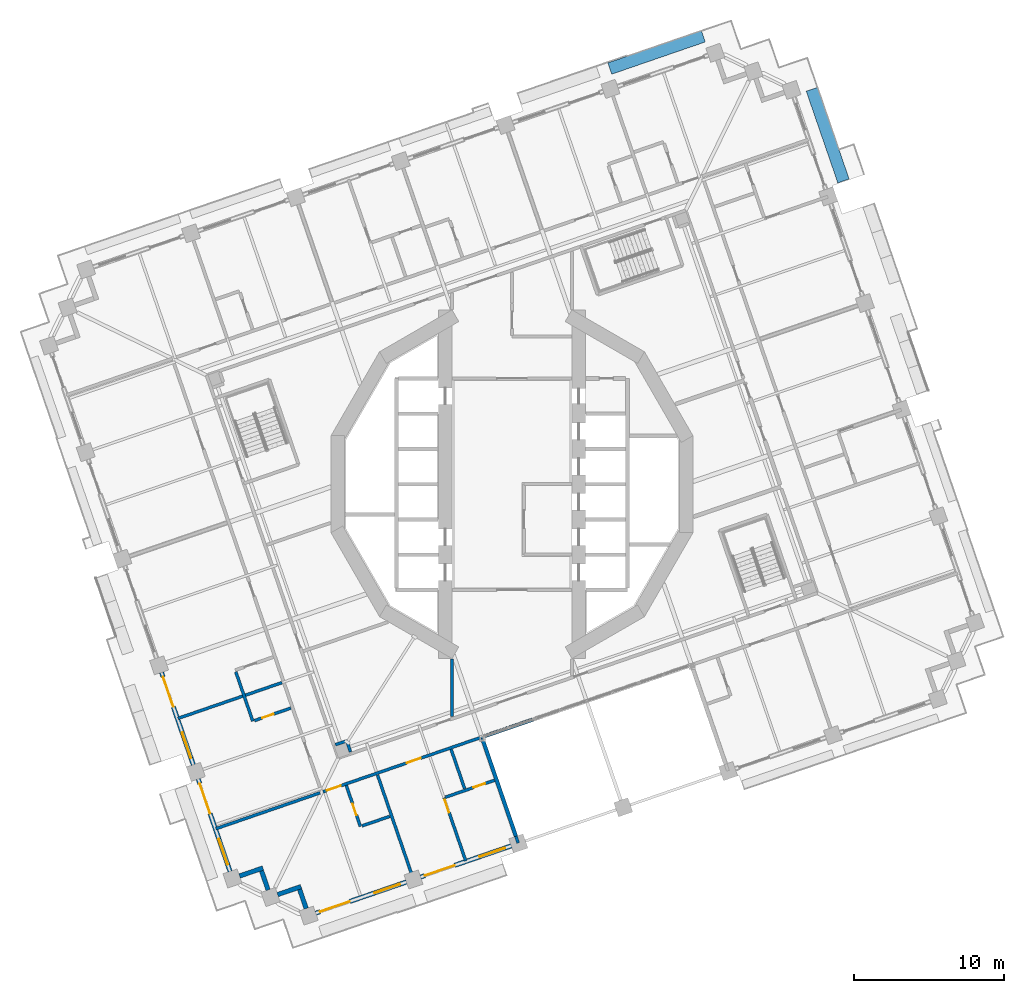
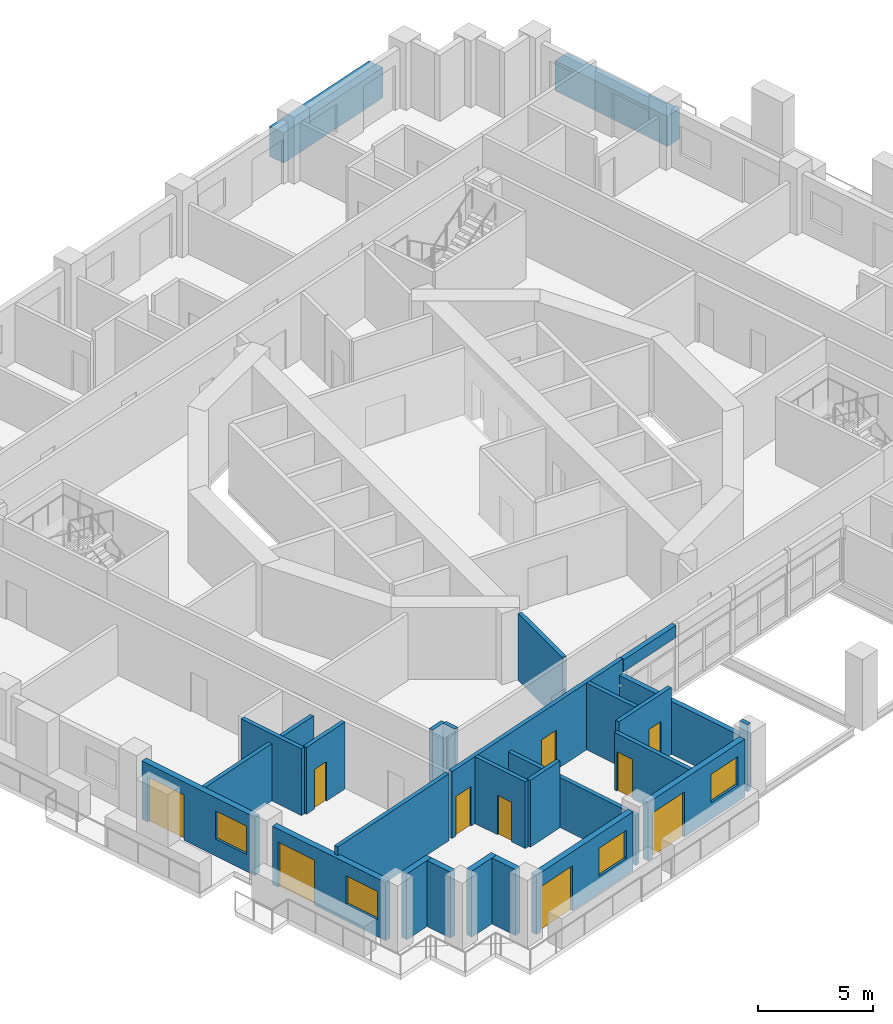
# One storey, part 8 of 22: 25 walls, 10 doors, 4 windows, 2 plates, 14 openings.
"""IFC4 building model written with IfcOpenShell, lengths in metres."""

from ifc_helpers import new_model, si_unit, direction, frame, frame_2d, origin, origin_2d, place, context, subcontext, project, spatial, rectangle, extrude, material, layer, layer_set, type_object, element, fill, save


model = new_model("IFC4")

# Units and contexts
model_context = context("Model", 3, precision=1e-05, world=origin(), true_north=direction((0.0, 1.0)))
body_context = subcontext(model_context, "Body", "Model", "MODEL_VIEW")
ifc_project = project(units=[si_unit("LENGTHUNIT", "METRE"), si_unit("AREAUNIT", "SQUARE_METRE"), si_unit("VOLUMEUNIT", "CUBIC_METRE"), si_unit("PLANEANGLEUNIT", "RADIAN"), si_unit("MASSUNIT", "GRAM", prefix="KILO")], contexts=[model_context])

# Site, building, storey
site_placement = place(None, origin())
site = spatial("IfcSite", under=ifc_project, at=site_placement, CompositionType="ELEMENT")
building_placement = place(site_placement, origin())
building = spatial("IfcBuilding", under=site, at=building_placement, Name="Cantera Rosa Tower", CompositionType="ELEMENT")
storey_placement = place(building_placement, frame((0.0, 0.0, 107.89990234375)))
storey = spatial("IfcBuildingStorey", under=building, at=storey_placement, Name="L21", CompositionType="ELEMENT", Elevation=107.89990234375)

# Plates
ifc_material_1 = material(Name="Cantera stone planter with soil", Category="masonry")
plate_type = type_object("IfcPlateType", Name="PLANTER 800", PredefinedType="USERDEFINED", material=ifc_material_1)
plate_1_placement = place(storey_placement, frame((21.064453125, 23.2919921875, 0.0), z_axis=(0.0, 0.0, 1.0), x_axis=(-0.325568154457, 0.945518575599, 0.0)))
element("IfcPlate", 1, at=plate_1_placement, inside=storey, type_object=plate_type, Name="PLANTER L21-05", ObjectType="PLANTER", PredefinedType="USERDEFINED", context=body_context, shape_type="SweptSolid", body=[
    extrude(rectangle(XDim=6.469970703125, YDim=0.800048828125, at=origin_2d()), origin(), (0.0, 0.0, 1.0), 1.60009765625),
])
plate_2_placement = place(storey_placement, frame((9.64599609375, 28.81005859375, 0.0), z_axis=(0.0, 0.0, 1.0), x_axis=(-0.945518575599, -0.325568154457, 0.0)))
element("IfcPlate", 2, at=plate_2_placement, inside=storey, type_object=plate_type, Name="PLANTER L21-06", ObjectType="PLANTER", PredefinedType="USERDEFINED", context=body_context, shape_type="SweptSolid", body=[
    extrude(rectangle(XDim=6.60009765625, YDim=0.800048828125, at=origin_2d()), origin(), (0.0, 0.0, 1.0), 1.60009765625),
])

# Wall, openings, doors
ifc_material_2 = material(Name="Gypsum board partition")
ifc_layer_1 = layer(ifc_material_2, 0.199951171875)
ifc_layer_set_1 = layer_set([ifc_layer_1], Name="CORRIDOR WALL 200 H3550")
wall_type_1 = type_object("IfcWallType", Name="CORRIDOR WALL 200 H3550", PredefinedType="PARTITIONING", material=ifc_layer_set_1)
wall_1_placement = place(storey_placement, frame((-12.60546875, -20.52197265625, 0.0), z_axis=(0.0, 0.0, 1.0), x_axis=(0.945519963328, 0.325564124172, 0.0)))
wall_1 = element("IfcWall", 3, at=wall_1_placement, inside=storey, type_object=wall_type_1, Name="CORRIDOR WALL L21-020", PredefinedType="PARTITIONING", context=body_context, shape_type="SweptSolid", body=[
    extrude(rectangle(XDim=11.324951171875, YDim=0.199951171875, at=frame_2d((5.66259765625, 0.0))), origin(), (0.0, 0.0, 1.0), 3.550048828125),
])
opening_1_placement = place(wall_1_placement, frame((5.89990234375, 0.0, 0.0)))
opening_1 = element("IfcOpeningElement", 4, at=opening_1_placement, cuts=wall_1, Name="Opening L21-041", PredefinedType="OPENING", context=body_context, shape_type="SweptSolid", body=[
    extrude(rectangle(XDim=1.0, YDim=2.10009765625, at=frame_2d((0.5, 1.050048828125))), frame((0.0, 0.10986328125, 0.0), z_axis=(0.0, -1.0, 0.0), x_axis=(1.0, 0.0, 0.0)), (0.0, 0.0, 1.0), 0.219970703125),
])
opening_2_placement = place(wall_1_placement, frame((0.25, 0.0, 0.0)))
opening_2 = element("IfcOpeningElement", 5, at=opening_2_placement, cuts=wall_1, Name="Opening L21-046", PredefinedType="OPENING", context=body_context, shape_type="SweptSolid", body=[
    extrude(rectangle(XDim=1.0, YDim=2.10009765625, at=frame_2d((0.5, 1.050048828125))), frame((0.0, 0.10986328125, 0.0), z_axis=(0.0, -1.0, 0.0), x_axis=(1.0, 0.0, 0.0)), (0.0, 0.0, 1.0), 0.219970703125),
])
ifc_material_3 = material(Name="Timber door leaf", Category="wood")
door_type_1 = type_object("IfcDoorType", Name="ENTRANCE DOOR 1000x2100", OperationType="NOTDEFINED", PredefinedType="DOOR", material=ifc_material_3)
door_1_placement = place(opening_1_placement, origin())
door_1 = element("IfcDoor", 6, at=door_1_placement, inside=storey, type_object=door_type_1, Name="DOOR L21-041", OperationType="NOTDEFINED", OverallHeight=2.10009765625, OverallWidth=1.0, PredefinedType="DOOR", context=body_context, shape_type="SweptSolid", body=[
    extrude(rectangle(XDim=1.0, YDim=2.10009765625, at=frame_2d((0.5, 1.050048828125))), frame((0.0, 0.02490234375, 0.0), z_axis=(0.0, -1.0, 0.0), x_axis=(1.0, 0.0, 0.0)), (0.0, 0.0, 1.0), 0.050048828125),
])
fill(opening_1, door_1)
door_2_placement = place(opening_2_placement, origin())
door_2 = element("IfcDoor", 7, at=door_2_placement, inside=storey, type_object=door_type_1, Name="DOOR L21-046", OperationType="NOTDEFINED", OverallHeight=2.10009765625, OverallWidth=1.0, PredefinedType="DOOR", context=body_context, shape_type="SweptSolid", body=[
    extrude(rectangle(XDim=1.0, YDim=2.10009765625, at=frame_2d((0.5, 1.050048828125))), frame((0.0, 0.02490234375, 0.0), z_axis=(0.0, -1.0, 0.0), x_axis=(1.0, 0.0, 0.0)), (0.0, 0.0, 1.0), 0.050048828125),
])
fill(opening_2, door_2)

# Walls
wall_2_placement = place(storey_placement, frame((-4.0, -11.667236328125, 0.0), z_axis=(0.0, 0.0, 1.0), x_axis=(0.0, -1.0, 0.0)))
element("IfcWall", 8, at=wall_2_placement, inside=storey, type_object=wall_type_1, Name="CORRIDOR WALL L21-050", PredefinedType="PARTITIONING", context=body_context, shape_type="SweptSolid", body=[
    extrude(rectangle(XDim=3.847900390625, YDim=0.199951171875, at=frame_2d((1.923828125, 0.0))), origin(), (0.0, 0.0, 1.0), 3.550048828125),
])
ifc_material_4 = material(Name="Hollow clay masonry with cantera stone cladding", Category="masonry")
ifc_layer_2 = layer(ifc_material_4, 0.300048828125)
ifc_layer_set_2 = layer_set([ifc_layer_2], Name="EW-LOGGIA 300")
wall_type_2 = type_object("IfcWallType", Name="EW-LOGGIA 300", PredefinedType="SOLIDWALL", material=ifc_layer_set_2)
wall_3_placement = place(storey_placement, frame((-18.17919921875, -26.142822265625, 0.0), z_axis=(0.0, 0.0, 1.0), x_axis=(0.945530119553, 0.32553462645, 0.0)))
element("IfcWall", 9, at=wall_3_placement, inside=storey, type_object=wall_type_2, Name="EN-L21-W21a", PredefinedType="SOLIDWALL", context=body_context, shape_type="SweptSolid", body=[
    extrude(rectangle(XDim=1.64990234375, YDim=0.300048828125, at=frame_2d((0.824951171875, 0.0))), origin(), (0.0, 0.0, 1.0), 3.5),
])
wall_4_placement = place(storey_placement, frame((-16.7119140625, -25.79638671875, 0.0), z_axis=(0.0, 0.0, 1.0), x_axis=(0.325544748006, -0.945526634763, 0.0)))
element("IfcWall", 10, at=wall_4_placement, inside=storey, type_object=wall_type_2, Name="EN-L21-W21b", PredefinedType="SOLIDWALL", context=body_context, shape_type="SweptSolid", body=[
    extrude(rectangle(XDim=1.349853515625, YDim=0.300048828125, at=frame_2d((0.6748046875, 0.0))), origin(), (0.0, 0.0, 1.0), 3.5),
])
wall_5_placement = place(storey_placement, frame((-15.636962890625, -27.3828125, 0.0), z_axis=(0.0, 0.0, 1.0), x_axis=(0.945484566827, 0.325666906351, 0.0)))
element("IfcWall", 11, at=wall_5_placement, inside=storey, type_object=wall_type_2, Name="EN-L21-W22a", PredefinedType="SOLIDWALL", context=body_context, shape_type="SweptSolid", body=[
    extrude(rectangle(XDim=1.64990234375, YDim=0.300048828125, at=frame_2d((0.824951171875, 0.0))), origin(), (0.0, 0.0, 1.0), 3.5),
])
wall_6_placement = place(storey_placement, frame((-14.169921875, -27.0361328125, 0.0), z_axis=(0.0, 0.0, 1.0), x_axis=(0.325650742363, -0.945490134268, 0.0)))
element("IfcWall", 12, at=wall_6_placement, inside=storey, type_object=wall_type_2, Name="EN-L21-W22b", PredefinedType="SOLIDWALL", context=body_context, shape_type="SweptSolid", body=[
    extrude(rectangle(XDim=1.35009765625, YDim=0.300048828125, at=frame_2d((0.675048828125, 0.0))), origin(), (0.0, 0.0, 1.0), 3.5),
])

# Wall, openings, window, door
ifc_material_5 = material(Name="Hollow clay masonry with cantera stone cladding", Category="masonry")
ifc_layer_3 = layer(ifc_material_5, 0.300048828125)
ifc_layer_set_3 = layer_set([ifc_layer_3], Name="EW-LOGGIA 300 H3090")
wall_type_3 = type_object("IfcWallType", Name="EW-LOGGIA 300 H3090", PredefinedType="SOLIDWALL", material=ifc_layer_set_3)
wall_7_placement = place(storey_placement, frame((-23.3857421875, -12.557861328125, 0.0), z_axis=(0.0, 0.0, 1.0), x_axis=(0.325580990241, -0.945514155787, 0.0)))
wall_7 = element("IfcWall", 13, at=wall_7_placement, inside=storey, type_object=wall_type_3, Name="EN-L21-W19", PredefinedType="SOLIDWALL", context=body_context, shape_type="SweptSolid", body=[
    extrude(rectangle(XDim=6.52001953125, YDim=0.300048828125, at=frame_2d((3.260009765625, 0.0))), origin(), (0.0, 0.0, 1.0), 3.090087890625),
])
opening_3_placement = place(wall_7_placement, frame((0.330078125, 0.0, 0.0)))
opening_3 = element("IfcOpeningElement", 14, at=opening_3_placement, cuts=wall_7, Name="Opening L21-TD29", PredefinedType="OPENING", context=body_context, shape_type="SweptSolid", body=[
    extrude(rectangle(XDim=2.10009765625, YDim=2.39990234375, at=frame_2d((1.050048828125, 1.199951171875))), frame((0.0, 0.159912109375, 0.0), z_axis=(0.0, -1.0, 0.0), x_axis=(1.0, 0.0, 0.0)), (0.0, 0.0, 1.0), 0.320068359375),
])
opening_4_placement = place(wall_7_placement, frame((4.239990234375, 0.0, 0.89990234375)))
opening_4 = element("IfcOpeningElement", 15, at=opening_4_placement, cuts=wall_7, Name="Opening L21-W30", PredefinedType="OPENING", context=body_context, shape_type="SweptSolid", body=[
    extrude(rectangle(XDim=1.800048828125, YDim=1.5, at=frame_2d((0.89990234375, 0.75))), frame((0.0, 0.159912109375, 0.0), z_axis=(0.0, -1.0, 0.0), x_axis=(1.0, 0.0, 0.0)), (0.0, 0.0, 1.0), 0.320068359375),
])
ifc_material_6 = material(Name="Aluminium frame with clear glass", Category="aluminium")
window_type = type_object("IfcWindowType", Name="Hotel room window 1800x1500", PartitioningType="DOUBLE_PANEL_VERTICAL", PredefinedType="WINDOW", material=ifc_material_6)
window_1_placement = place(opening_4_placement, origin())
window_1 = element("IfcWindow", 16, at=window_1_placement, inside=storey, type_object=window_type, Name="WINDOW L21-W30", OverallHeight=1.5, OverallWidth=1.800048828125, PartitioningType="SINGLE_PANEL", PredefinedType="WINDOW", context=body_context, shape_type="SweptSolid", body=[
    extrude(rectangle(XDim=1.800048828125, YDim=1.5, at=frame_2d((0.89990234375, 0.75))), frame((0.0, 0.030029296875, 0.0), z_axis=(0.0, -1.0, 0.0), x_axis=(1.0, 0.0, 0.0)), (0.0, 0.0, 1.0), 0.06005859375),
])
fill(opening_4, window_1)
ifc_material_7 = material(Name="Aluminium frame with clear glass", Category="aluminium")
door_type_2 = type_object("IfcDoorType", Name="TD-H 2100x2400", OperationType="NOTDEFINED", PredefinedType="DOOR", material=ifc_material_7)
door_3_placement = place(opening_3_placement, origin())
door_3 = element("IfcDoor", 17, at=door_3_placement, inside=storey, type_object=door_type_2, Name="LOGGIA DOOR L21-TD29", OperationType="SLIDING_TO_LEFT", OverallHeight=2.39990234375, OverallWidth=2.10009765625, PredefinedType="DOOR", context=body_context, shape_type="SweptSolid", body=[
    extrude(rectangle(XDim=2.10009765625, YDim=2.39990234375, at=frame_2d((1.050048828125, 1.199951171875))), frame((0.0, 0.02490234375, 0.0), z_axis=(0.0, -1.0, 0.0), x_axis=(1.0, 0.0, 0.0)), (0.0, 0.0, 1.0), 0.050048828125),
])
fill(opening_3, door_3)

wall_8_placement = place(storey_placement, frame((-20.9375, -19.668212890625, 0.0), z_axis=(0.0, 0.0, 1.0), x_axis=(0.325592517631, -0.945510186335, 0.0)))
wall_8 = element("IfcWall", 18, at=wall_8_placement, inside=storey, type_object=wall_type_3, Name="EN-L21-W20", PredefinedType="SOLIDWALL", context=body_context, shape_type="SweptSolid", body=[
    extrude(rectangle(XDim=6.519775390625, YDim=0.300048828125, at=frame_2d((3.259765625, 0.0))), origin(), (0.0, 0.0, 1.0), 3.090087890625),
])
opening_5_placement = place(wall_8_placement, frame((0.330078125, 0.0, 0.0)))
opening_5 = element("IfcOpeningElement", 19, at=opening_5_placement, cuts=wall_8, Name="Opening L21-TD31", PredefinedType="OPENING", context=body_context, shape_type="SweptSolid", body=[
    extrude(rectangle(XDim=2.10009765625, YDim=2.39990234375, at=frame_2d((1.050048828125, 1.199951171875))), frame((0.0, 0.159912109375, 0.0), z_axis=(0.0, -1.0, 0.0), x_axis=(1.0, 0.0, 0.0)), (0.0, 0.0, 1.0), 0.320068359375),
])
opening_6_placement = place(wall_8_placement, frame((4.239990234375, 0.0, 0.89990234375)))
opening_6 = element("IfcOpeningElement", 20, at=opening_6_placement, cuts=wall_8, Name="Opening L21-W32", PredefinedType="OPENING", context=body_context, shape_type="SweptSolid", body=[
    extrude(rectangle(XDim=1.800048828125, YDim=1.5, at=frame_2d((0.89990234375, 0.75))), frame((0.0, 0.159912109375, 0.0), z_axis=(0.0, -1.0, 0.0), x_axis=(1.0, 0.0, 0.0)), (0.0, 0.0, 1.0), 0.320068359375),
])
window_2_placement = place(opening_6_placement, origin())
window_2 = element("IfcWindow", 21, at=window_2_placement, inside=storey, type_object=window_type, Name="WINDOW L21-W32", OverallHeight=1.5, OverallWidth=1.800048828125, PartitioningType="SINGLE_PANEL", PredefinedType="WINDOW", context=body_context, shape_type="SweptSolid", body=[
    extrude(rectangle(XDim=1.800048828125, YDim=1.5, at=frame_2d((0.89990234375, 0.75))), frame((0.0, 0.030029296875, 0.0), z_axis=(0.0, -1.0, 0.0), x_axis=(1.0, 0.0, 0.0)), (0.0, 0.0, 1.0), 0.06005859375),
])
fill(opening_6, window_2)
door_4_placement = place(opening_5_placement, origin())
door_4 = element("IfcDoor", 22, at=door_4_placement, inside=storey, type_object=door_type_2, Name="LOGGIA DOOR L21-TD31", OperationType="SLIDING_TO_LEFT", OverallHeight=2.39990234375, OverallWidth=2.10009765625, PredefinedType="DOOR", context=body_context, shape_type="SweptSolid", body=[
    extrude(rectangle(XDim=2.10009765625, YDim=2.39990234375, at=frame_2d((1.050048828125, 1.199951171875))), frame((0.0, 0.02490234375, 0.0), z_axis=(0.0, -1.0, 0.0), x_axis=(1.0, 0.0, 0.0)), (0.0, 0.0, 1.0), 0.050048828125),
])
fill(opening_5, door_4)

wall_9_placement = place(storey_placement, frame((-6.097900390625, -26.21337890625, 0.0), z_axis=(0.0, 0.0, 1.0), x_axis=(0.945524496524, 0.325550958337, 0.0)))
wall_9 = element("IfcWall", 23, at=wall_9_placement, inside=storey, type_object=wall_type_3, Name="EN-L21-W24", PredefinedType="SOLIDWALL", context=body_context, shape_type="SweptSolid", body=[
    extrude(rectangle(XDim=6.39990234375, YDim=0.300048828125, at=frame_2d((3.199951171875, 0.0))), origin(), (0.0, 0.0, 1.0), 3.090087890625),
])
opening_7_placement = place(wall_9_placement, frame((0.300048828125, 0.0, 0.0)))
opening_7 = element("IfcOpeningElement", 24, at=opening_7_placement, cuts=wall_9, Name="Opening L21-TD35", PredefinedType="OPENING", context=body_context, shape_type="SweptSolid", body=[
    extrude(rectangle(XDim=2.10009765625, YDim=2.39990234375, at=frame_2d((1.050048828125, 1.199951171875))), frame((0.0, 0.159912109375, 0.0), z_axis=(0.0, -1.0, 0.0), x_axis=(1.0, 0.0, 0.0)), (0.0, 0.0, 1.0), 0.320068359375),
])
opening_8_placement = place(wall_9_placement, frame((4.14990234375, 0.0, 0.89990234375)))
opening_8 = element("IfcOpeningElement", 25, at=opening_8_placement, cuts=wall_9, Name="Opening L21-W36", PredefinedType="OPENING", context=body_context, shape_type="SweptSolid", body=[
    extrude(rectangle(XDim=1.800048828125, YDim=1.5, at=frame_2d((0.89990234375, 0.75))), frame((0.0, 0.159912109375, 0.0), z_axis=(0.0, -1.0, 0.0), x_axis=(1.0, 0.0, 0.0)), (0.0, 0.0, 1.0), 0.320068359375),
])
window_3_placement = place(opening_8_placement, origin())
window_3 = element("IfcWindow", 26, at=window_3_placement, inside=storey, type_object=window_type, Name="WINDOW L21-W36", OverallHeight=1.5, OverallWidth=1.800048828125, PartitioningType="SINGLE_PANEL", PredefinedType="WINDOW", context=body_context, shape_type="SweptSolid", body=[
    extrude(rectangle(XDim=1.800048828125, YDim=1.5, at=frame_2d((0.89990234375, 0.75))), frame((0.0, 0.030029296875, 0.0), z_axis=(0.0, -1.0, 0.0), x_axis=(1.0, 0.0, 0.0)), (0.0, 0.0, 1.0), 0.06005859375),
])
fill(opening_8, window_3)
door_5_placement = place(opening_7_placement, origin())
door_5 = element("IfcDoor", 27, at=door_5_placement, inside=storey, type_object=door_type_2, Name="LOGGIA DOOR L21-TD35", OperationType="SLIDING_TO_LEFT", OverallHeight=2.39990234375, OverallWidth=2.10009765625, PredefinedType="DOOR", context=body_context, shape_type="SweptSolid", body=[
    extrude(rectangle(XDim=2.10009765625, YDim=2.39990234375, at=frame_2d((1.050048828125, 1.199951171875))), frame((0.0, 0.02490234375, 0.0), z_axis=(0.0, -1.0, 0.0), x_axis=(1.0, 0.0, 0.0)), (0.0, 0.0, 1.0), 0.050048828125),
])
fill(opening_7, door_5)

ifc_material_8 = material(Name="Hollow clay masonry with cantera stone cladding", Category="masonry")
ifc_layer_4 = layer(ifc_material_8, 0.300048828125)
ifc_layer_set_4 = layer_set([ifc_layer_4], Name="EW-LOGGIA 300 H3140")
wall_type_4 = type_object("IfcWallType", Name="EW-LOGGIA 300 H3140", PredefinedType="SOLIDWALL", material=ifc_layer_set_4)
wall_10_placement = place(storey_placement, frame((-13.0947265625, -28.62255859375, 0.0), z_axis=(0.0, 0.0, 1.0), x_axis=(0.945524496524, 0.325550958337, 0.0)))
wall_10 = element("IfcWall", 28, at=wall_10_placement, inside=storey, type_object=wall_type_4, Name="EN-L21-W23", PredefinedType="SOLIDWALL", context=body_context, shape_type="SweptSolid", body=[
    extrude(rectangle(XDim=6.39990234375, YDim=0.300048828125, at=frame_2d((3.199951171875, 0.0))), origin(), (0.0, 0.0, 1.0), 3.14013671875),
])
opening_9_placement = place(wall_10_placement, frame((0.300048828125, 0.0, 0.0)))
opening_9 = element("IfcOpeningElement", 29, at=opening_9_placement, cuts=wall_10, Name="Opening L21-TD33", PredefinedType="OPENING", context=body_context, shape_type="SweptSolid", body=[
    extrude(rectangle(XDim=2.10009765625, YDim=2.39990234375, at=frame_2d((1.050048828125, 1.199951171875))), frame((0.0, 0.159912109375, 0.0), z_axis=(0.0, -1.0, 0.0), x_axis=(1.0, 0.0, 0.0)), (0.0, 0.0, 1.0), 0.320068359375),
])
opening_10_placement = place(wall_10_placement, frame((4.14990234375, 0.0, 0.89990234375)))
opening_10 = element("IfcOpeningElement", 30, at=opening_10_placement, cuts=wall_10, Name="Opening L21-W34", PredefinedType="OPENING", context=body_context, shape_type="SweptSolid", body=[
    extrude(rectangle(XDim=1.800048828125, YDim=1.5, at=frame_2d((0.89990234375, 0.75))), frame((0.0, 0.159912109375, 0.0), z_axis=(0.0, -1.0, 0.0), x_axis=(1.0, 0.0, 0.0)), (0.0, 0.0, 1.0), 0.320068359375),
])
window_4_placement = place(opening_10_placement, origin())
window_4 = element("IfcWindow", 31, at=window_4_placement, inside=storey, type_object=window_type, Name="WINDOW L21-W34", OverallHeight=1.5, OverallWidth=1.800048828125, PartitioningType="SINGLE_PANEL", PredefinedType="WINDOW", context=body_context, shape_type="SweptSolid", body=[
    extrude(rectangle(XDim=1.800048828125, YDim=1.5, at=frame_2d((0.89990234375, 0.75))), frame((0.0, 0.030029296875, 0.0), z_axis=(0.0, -1.0, 0.0), x_axis=(1.0, 0.0, 0.0)), (0.0, 0.0, 1.0), 0.06005859375),
])
fill(opening_10, window_4)
door_6_placement = place(opening_9_placement, origin())
door_6 = element("IfcDoor", 32, at=door_6_placement, inside=storey, type_object=door_type_2, Name="LOGGIA DOOR L21-TD33", OperationType="SLIDING_TO_LEFT", OverallHeight=2.39990234375, OverallWidth=2.10009765625, PredefinedType="DOOR", context=body_context, shape_type="SweptSolid", body=[
    extrude(rectangle(XDim=2.10009765625, YDim=2.39990234375, at=frame_2d((1.050048828125, 1.199951171875))), frame((0.0, 0.02490234375, 0.0), z_axis=(0.0, -1.0, 0.0), x_axis=(1.0, 0.0, 0.0)), (0.0, 0.0, 1.0), 0.050048828125),
])
fill(opening_9, door_6)

# Walls
ifc_material_9 = material(Name="Concrete C40/50", Category="concrete")
ifc_layer_5 = layer(ifc_material_9, 0.25)
ifc_layer_set_5 = layer_set([ifc_layer_5], Name="EW-POCKET CHEEK 250 H2795")
wall_type_5 = type_object("IfcWallType", Name="EW-POCKET CHEEK 250 H2795", PredefinedType="SOLIDWALL", material=ifc_layer_set_5)
wall_11_placement = place(storey_placement, frame((0.263427734375, -23.494384765625, 0.0), z_axis=(0.0, 0.0, 1.0), x_axis=(-0.325585020105, 0.945512768123, 0.0)))
element("IfcWall", 33, at=wall_11_placement, inside=storey, type_object=wall_type_5, Name="POCKET CHEEK A L21", PredefinedType="SOLIDWALL", context=body_context, shape_type="SweptSolid", body=[
    extrude(rectangle(XDim=6.900146484375, YDim=0.25, at=frame_2d((3.4501953125, 0.0))), origin(), (0.0, 0.0, 1.0), 2.795166015625),
])
ifc_material_10 = material(Name="Hollow clay masonry with cantera stone cladding", Category="masonry")
ifc_layer_6 = layer(ifc_material_10, 0.25)
ifc_layer_set_6 = layer_set([ifc_layer_6], Name="EW-POCKET REAR 250")
wall_type_6 = type_object("IfcWallType", Name="EW-POCKET REAR 250", PredefinedType="SOLIDWALL", material=ifc_layer_set_6)
wall_12_placement = place(storey_placement, frame((-1.8974609375, -16.8349609375, 2.8681640625), z_axis=(0.0, 0.0, 1.0), x_axis=(0.945520584071, 0.325562321375, 0.0)))
element("IfcWall", 34, at=wall_12_placement, inside=storey, type_object=wall_type_6, Name="POCKET SPANDREL L21-1", PredefinedType="SOLIDWALL", context=body_context, shape_type="SweptSolid", body=[
    extrude(rectangle(XDim=3.47802734375, YDim=0.25, at=frame_2d((1.739013671875, 0.0))), origin(), (0.0, 0.0, 1.0), 0.6318359375),
])

# Wall, opening, door
ifc_material_11 = material(Name="Gypsum board partition")
ifc_layer_7 = layer(ifc_material_11, 0.199951171875)
ifc_layer_set_7 = layer_set([ifc_layer_7], Name="PARTITION 200 H3050")
wall_type_7 = type_object("IfcWallType", Name="PARTITION 200 H3050", PredefinedType="PARTITIONING", material=ifc_layer_set_7)
wall_13_placement = place(storey_placement, frame((-3.08203125, -25.143310546875, 0.0), z_axis=(0.0, 0.0, 1.0), x_axis=(-0.325568171973, 0.945518569568, 0.0)))
wall_13 = element("IfcWall", 35, at=wall_13_placement, inside=storey, type_object=wall_type_7, Name="PARTITION L21-054", PredefinedType="PARTITIONING", context=body_context, shape_type="SweptSolid", body=[
    extrude(rectangle(XDim=4.47021484375, YDim=0.199951171875, at=frame_2d((2.235107421875, 0.0))), origin(), (0.0, 0.0, 1.0), 3.050048828125),
])
opening_11_placement = place(wall_13_placement, frame((3.419921875, 0.0, 0.0)))
opening_11 = element("IfcOpeningElement", 36, at=opening_11_placement, cuts=wall_13, Name="Opening L21-042", PredefinedType="OPENING", context=body_context, shape_type="SweptSolid", body=[
    extrude(rectangle(XDim=0.89990234375, YDim=2.10009765625, at=frame_2d((0.449951171875, 1.050048828125))), frame((0.0, 0.10986328125, 0.0), z_axis=(0.0, -1.0, 0.0), x_axis=(1.0, 0.0, 0.0)), (0.0, 0.0, 1.0), 0.219970703125),
])
ifc_material_12 = material(Name="Timber door leaf", Category="wood")
door_type_3 = type_object("IfcDoorType", Name="ROOM DOOR 900x2100", OperationType="NOTDEFINED", PredefinedType="DOOR", material=ifc_material_12)
door_7_placement = place(opening_11_placement, origin())
door_7 = element("IfcDoor", 37, at=door_7_placement, inside=storey, type_object=door_type_3, Name="DOOR L21-042", OperationType="NOTDEFINED", OverallHeight=2.10009765625, OverallWidth=0.89990234375, PredefinedType="DOOR", context=body_context, shape_type="SweptSolid", body=[
    extrude(rectangle(XDim=0.89990234375, YDim=2.10009765625, at=frame_2d((0.449951171875, 1.050048828125))), frame((0.0, 0.02490234375, 0.0), z_axis=(0.0, -1.0, 0.0), x_axis=(1.0, 0.0, 0.0)), (0.0, 0.0, 1.0), 0.050048828125),
])
fill(opening_11, door_7)

# Wall
ifc_material_13 = material(Name="Gypsum board partition")
ifc_layer_8 = layer(ifc_material_13, 0.199951171875)
ifc_layer_set_8 = layer_set([ifc_layer_8], Name="PARTITION 200 H3550")
wall_type_8 = type_object("IfcWallType", Name="PARTITION 200 H3550", PredefinedType="PARTITIONING", material=ifc_layer_set_8)
wall_14_placement = place(storey_placement, frame((-17.29443359375, -15.81201171875, 0.0), z_axis=(0.0, 0.0, 1.0), x_axis=(-0.325514995811, 0.945536877918, 0.0)))
element("IfcWall", 38, at=wall_14_placement, inside=storey, type_object=wall_type_8, Name="PARTITION L21-015", PredefinedType="PARTITIONING", context=body_context, shape_type="SweptSolid", body=[
    extrude(rectangle(XDim=3.47998046875, YDim=0.199951171875, at=frame_2d((1.739990234375, 0.0))), origin(), (0.0, 0.0, 1.0), 3.550048828125),
])

# Wall, opening, door
wall_15_placement = place(storey_placement, frame((-14.760498046875, -14.939453125, 0.0), z_axis=(0.0, 0.0, 1.0), x_axis=(-0.9455087096, -0.325596805989, 0.0)))
wall_15 = element("IfcWall", 39, at=wall_15_placement, inside=storey, type_object=wall_type_8, Name="PARTITION L21-018", PredefinedType="PARTITIONING", context=body_context, shape_type="SweptSolid", body=[
    extrude(rectangle(XDim=2.559814453125, YDim=0.199951171875, at=frame_2d((1.27978515625, 0.0))), origin(), (0.0, 0.0, 1.0), 3.550048828125),
])
opening_12_placement = place(wall_15_placement, frame((1.216064453125, 0.0, 0.0)))
opening_12 = element("IfcOpeningElement", 40, at=opening_12_placement, cuts=wall_15, Name="Opening L21-040", PredefinedType="OPENING", context=body_context, shape_type="SweptSolid", body=[
    extrude(rectangle(XDim=0.800048828125, YDim=2.10009765625, at=frame_2d((0.39990234375, 1.050048828125))), frame((0.0, 0.10986328125, 0.0), z_axis=(0.0, -1.0, 0.0), x_axis=(1.0, 0.0, 0.0)), (0.0, 0.0, 1.0), 0.219970703125),
])
ifc_material_14 = material(Name="Timber door leaf", Category="wood")
door_type_4 = type_object("IfcDoorType", Name="BATHROOM DOOR 800x2100", OperationType="NOTDEFINED", PredefinedType="DOOR", material=ifc_material_14)
door_8_placement = place(opening_12_placement, origin())
door_8 = element("IfcDoor", 41, at=door_8_placement, inside=storey, type_object=door_type_4, Name="DOOR L21-040", OperationType="NOTDEFINED", OverallHeight=2.10009765625, OverallWidth=0.800048828125, PredefinedType="DOOR", context=body_context, shape_type="SweptSolid", body=[
    extrude(rectangle(XDim=0.800048828125, YDim=2.10009765625, at=frame_2d((0.39990234375, 1.050048828125))), frame((0.0, 0.02490234375, 0.0), z_axis=(0.0, -1.0, 0.0), x_axis=(1.0, 0.0, 0.0)), (0.0, 0.0, 1.0), 0.050048828125),
])
fill(opening_12, door_8)

# Walls
wall_16_placement = place(storey_placement, frame((-11.026123046875, -17.12255859375, 0.0), z_axis=(0.0, 0.0, 1.0), x_axis=(-0.945525269499, -0.325548713312, 0.0)))
element("IfcWall", 42, at=wall_16_placement, inside=storey, type_object=wall_type_8, Name="PARTITION L21-029", PredefinedType="PARTITIONING", context=body_context, shape_type="SweptSolid", body=[
    extrude(rectangle(XDim=0.80029296875, YDim=0.199951171875, at=frame_2d((0.400146484375, 0.0))), origin(), (0.0, 0.0, 1.0), 3.550048828125),
])
wall_17_placement = place(storey_placement, frame((-10.772216796875, -17.860107421875, 0.0), z_axis=(0.0, 0.0, 1.0), x_axis=(-0.325691873105, 0.945475966798, 0.0)))
element("IfcWall", 43, at=wall_17_placement, inside=storey, type_object=wall_type_8, Name="PARTITION L21-030", PredefinedType="PARTITIONING", context=body_context, shape_type="SweptSolid", body=[
    extrude(rectangle(XDim=0.679931640625, YDim=0.199951171875, at=frame_2d((0.33984375, 0.0))), origin(), (0.0, 0.0, 1.0), 3.550048828125),
])

# Wall, opening, door
wall_18_placement = place(storey_placement, frame((-10.115966796875, -22.837646484375, 0.0), z_axis=(0.0, 0.0, 1.0), x_axis=(-0.325557359554, 0.945522292514, 0.0)))
wall_18 = element("IfcWall", 44, at=wall_18_placement, inside=storey, type_object=wall_type_8, Name="PARTITION L21-031", PredefinedType="PARTITIONING", context=body_context, shape_type="SweptSolid", body=[
    extrude(rectangle(XDim=2.89990234375, YDim=0.199951171875, at=frame_2d((1.449951171875, 0.0))), origin(), (0.0, 0.0, 1.0), 3.550048828125),
])
opening_13_placement = place(wall_18_placement, frame((0.800048828125, 0.0, 0.0)))
opening_13 = element("IfcOpeningElement", 45, at=opening_13_placement, cuts=wall_18, Name="Opening L21-047", PredefinedType="OPENING", context=body_context, shape_type="SweptSolid", body=[
    extrude(rectangle(XDim=0.800048828125, YDim=2.10009765625, at=frame_2d((0.39990234375, 1.050048828125))), frame((0.0, 0.10986328125, 0.0), z_axis=(0.0, -1.0, 0.0), x_axis=(1.0, 0.0, 0.0)), (0.0, 0.0, 1.0), 0.219970703125),
])
door_9_placement = place(opening_13_placement, origin())
door_9 = element("IfcDoor", 46, at=door_9_placement, inside=storey, type_object=door_type_4, Name="DOOR L21-047", OperationType="NOTDEFINED", OverallHeight=2.10009765625, OverallWidth=0.800048828125, PredefinedType="DOOR", context=body_context, shape_type="SweptSolid", body=[
    extrude(rectangle(XDim=0.800048828125, YDim=2.10009765625, at=frame_2d((0.39990234375, 1.050048828125))), frame((0.0, 0.02490234375, 0.0), z_axis=(0.0, -1.0, 0.0), x_axis=(1.0, 0.0, 0.0)), (0.0, 0.0, 1.0), 0.050048828125),
])
fill(opening_13, door_9)

# Wall
wall_19_placement = place(storey_placement, frame((-8.149169921875, -22.160400390625, 0.0), z_axis=(0.0, 0.0, 1.0), x_axis=(-0.945510558394, -0.325591437181, 0.0)))
element("IfcWall", 47, at=wall_19_placement, inside=storey, type_object=wall_type_8, Name="PARTITION L21-034", PredefinedType="PARTITIONING", context=body_context, shape_type="SweptSolid", body=[
    extrude(rectangle(XDim=1.9599609375, YDim=0.199951171875, at=frame_2d((0.97998046875, 0.0))), origin(), (0.0, 0.0, 1.0), 3.550048828125),
])

# Wall, opening, door
wall_20_placement = place(storey_placement, frame((-4.44287109375, -20.88427734375, 0.0), z_axis=(0.0, 0.0, 1.0), x_axis=(0.945515898571, 0.325575929009, 0.0)))
wall_20 = element("IfcWall", 48, at=wall_20_placement, inside=storey, type_object=wall_type_8, Name="PARTITION L21-048", PredefinedType="PARTITIONING", context=body_context, shape_type="SweptSolid", body=[
    extrude(rectangle(XDim=3.465087890625, YDim=0.199951171875, at=frame_2d((1.732421875, 0.0))), origin(), (0.0, 0.0, 1.0), 3.550048828125),
])
opening_14_placement = place(wall_20_placement, frame((1.989990234375, 0.0, 0.0)))
opening_14 = element("IfcOpeningElement", 49, at=opening_14_placement, cuts=wall_20, Name="Opening L21-043", PredefinedType="OPENING", context=body_context, shape_type="SweptSolid", body=[
    extrude(rectangle(XDim=0.800048828125, YDim=2.10009765625, at=frame_2d((0.39990234375, 1.050048828125))), frame((0.0, 0.10986328125, 0.0), z_axis=(0.0, -1.0, 0.0), x_axis=(1.0, 0.0, 0.0)), (0.0, 0.0, 1.0), 0.219970703125),
])
door_10_placement = place(opening_14_placement, origin())
door_10 = element("IfcDoor", 50, at=door_10_placement, inside=storey, type_object=door_type_4, Name="DOOR L21-043", OperationType="NOTDEFINED", OverallHeight=2.10009765625, OverallWidth=0.800048828125, PredefinedType="DOOR", context=body_context, shape_type="SweptSolid", body=[
    extrude(rectangle(XDim=0.800048828125, YDim=2.10009765625, at=frame_2d((0.39990234375, 1.050048828125))), frame((0.0, 0.02490234375, 0.0), z_axis=(0.0, -1.0, 0.0), x_axis=(1.0, 0.0, 0.0)), (0.0, 0.0, 1.0), 0.050048828125),
])
fill(opening_14, door_10)

# Walls
wall_21_placement = place(storey_placement, frame((-3.158203125, -20.31494140625, 0.0), z_axis=(0.0, 0.0, 1.0), x_axis=(-0.325538681008, 0.945528723608, 0.0)))
element("IfcWall", 51, at=wall_21_placement, inside=storey, type_object=wall_type_8, Name="PARTITION L21-053", PredefinedType="PARTITIONING", context=body_context, shape_type="SweptSolid", body=[
    extrude(rectangle(XDim=2.780029296875, YDim=0.199951171875, at=frame_2d((1.39013671875, 0.0))), origin(), (0.0, 0.0, 1.0), 3.550048828125),
])
wall_22_placement = place(storey_placement, frame((0.26318359375, -23.494384765625, 0.0), z_axis=(0.0, 0.0, 1.0), x_axis=(0.325718504865, -0.94546679243, 0.0)))
element("IfcWall", 52, at=wall_22_placement, inside=storey, type_object=wall_type_8, Name="PARTITION L21-055", PredefinedType="PARTITIONING", context=body_context, shape_type="SweptSolid", body=[
    extrude(rectangle(XDim=0.469970703125, YDim=0.199951171875, at=frame_2d((0.23486328125, 0.0))), origin(), (0.0, 0.0, 1.0), 3.550048828125),
])
ifc_material_15 = material(Name="Gypsum board partition")
ifc_layer_9 = layer(ifc_material_15, 0.199951171875)
ifc_layer_set_9 = layer_set([ifc_layer_9], Name="PARTY WALL 200 H2650")
wall_type_9 = type_object("IfcWallType", Name="PARTY WALL 200 H2650", PredefinedType="PARTITIONING", material=ifc_layer_set_9)
wall_23_placement = place(storey_placement, frame((-6.58056640625, -26.347900390625, 0.0), z_axis=(0.0, 0.0, 1.0), x_axis=(-0.325549451152, 0.945525015457, 0.0)))
element("IfcWall", 53, at=wall_23_placement, inside=storey, type_object=wall_type_9, Name="PARTY WALL L21-043", PredefinedType="PARTITIONING", context=body_context, shape_type="SweptSolid", body=[
    extrude(rectangle(XDim=7.35009765625, YDim=0.199951171875, at=frame_2d((3.675048828125, 0.0))), origin(), (0.0, 0.0, 1.0), 2.650146484375),
])
ifc_material_16 = material(Name="Gypsum board partition")
ifc_layer_10 = layer(ifc_material_16, 0.199951171875)
ifc_layer_set_10 = layer_set([ifc_layer_10], Name="PARTY WALL 200 H3050")
wall_type_10 = type_object("IfcWallType", Name="PARTY WALL 200 H3050", PredefinedType="PARTITIONING", material=ifc_layer_set_10)
wall_24_placement = place(storey_placement, frame((-15.346435546875, -13.237548828125, 0.0), z_axis=(0.0, 0.0, 1.0), x_axis=(-0.945521494984, -0.325559675824, 0.0)))
element("IfcWall", 54, at=wall_24_placement, inside=storey, type_object=wall_type_10, Name="PARTY WALL L21-017", PredefinedType="PARTITIONING", context=body_context, shape_type="SweptSolid", body=[
    extrude(rectangle(XDim=7.349853515625, YDim=0.199951171875, at=frame_2d((3.6748046875, 0.0))), origin(), (0.0, 0.0, 1.0), 3.050048828125),
])
ifc_material_17 = material(Name="Gypsum board partition")
ifc_layer_11 = layer(ifc_material_17, 0.199951171875)
ifc_layer_set_11 = layer_set([ifc_layer_11], Name="PARTY WALL 200 H3550")
wall_type_11 = type_object("IfcWallType", Name="PARTY WALL 200 H3550", PredefinedType="PARTITIONING", material=ifc_layer_set_11)
wall_25_placement = place(storey_placement, frame((-19.762939453125, -22.986572265625, 0.0), z_axis=(0.0, 0.0, 1.0), x_axis=(0.945511269654, 0.32558937169, 0.0)))
element("IfcWall", 55, at=wall_25_placement, inside=storey, type_object=wall_type_11, Name="PARTY WALL L21-007", PredefinedType="PARTITIONING", context=body_context, shape_type="SweptSolid", body=[
    extrude(rectangle(XDim=7.349853515625, YDim=0.199951171875, at=frame_2d((3.6748046875, 0.0))), origin(), (0.0, 0.0, 1.0), 3.550048828125),
])

save(model, "model.ifc")
